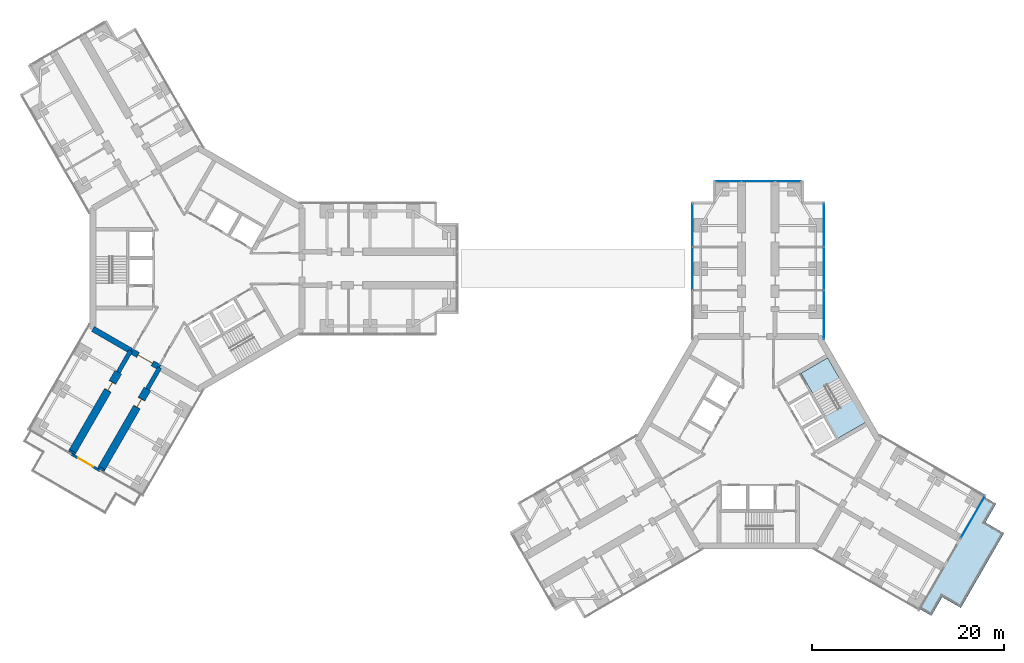
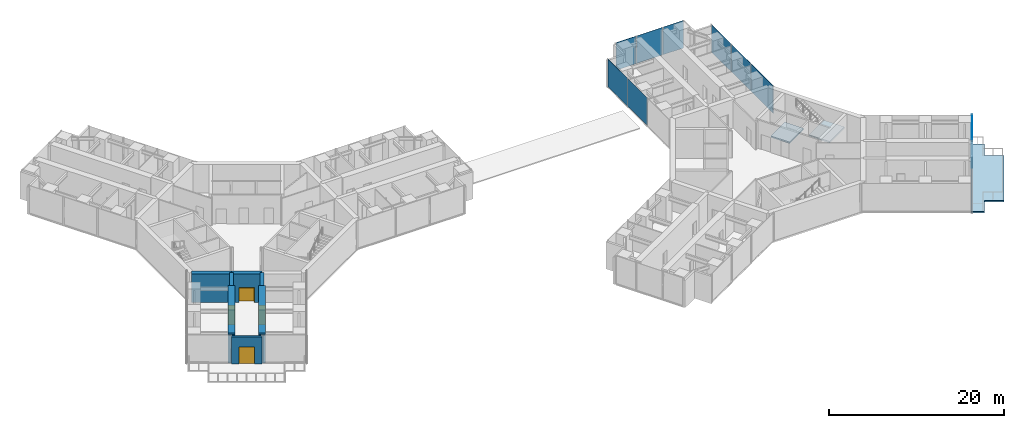
# One storey, part 14 of 22: 9 plates, 9 walls, 4 doors, 3 slabs, 4 openings, 5 elements without a shape of their own.
"""IFC4 building model written with IfcOpenShell, lengths in metres."""

from ifc_helpers import new_model, si_unit, direction, frame, frame_2d, origin, origin_2d, place, context, subcontext, project, spatial, polyline, rectangle, outline, extrude, material, layer, layer_set, type_object, element, fill, aggregate, save


model = new_model("IFC4")

# Units and contexts
model_context = context("Model", 3, precision=1e-05, world=origin(), true_north=direction((0.0, 1.0)))
body_context = subcontext(model_context, "Body", "Model", "MODEL_VIEW")
ifc_project = project(units=[si_unit("LENGTHUNIT", "METRE"), si_unit("AREAUNIT", "SQUARE_METRE"), si_unit("VOLUMEUNIT", "CUBIC_METRE"), si_unit("PLANEANGLEUNIT", "RADIAN"), si_unit("MASSUNIT", "GRAM", prefix="KILO")], contexts=[model_context])

# Site, building, storey
site_placement = place(None, origin())
site = spatial("IfcSite", under=ifc_project, at=site_placement, CompositionType="ELEMENT")
building_placement = place(site_placement, origin())
building = spatial("IfcBuilding", under=site, at=building_placement, Name="Upepo Twin Towers", CompositionType="ELEMENT")
storey_placement = place(building_placement, frame((0.0, 0.0, 97.5)))
storey = spatial("IfcBuildingStorey", under=building, at=storey_placement, Name="L23", CompositionType="ELEMENT", Elevation=97.5)

# Curtain wall, plates
ifc_material_1 = material(Name="Aluminium and fritted glass", Category="aluminium")
curtain_wall_type = type_object("IfcCurtainWallType", Name="Tower curtain wall TW2, fritted glass", PredefinedType="NOTDEFINED", material=ifc_material_1)
curtain_wall_1_placement = place(storey_placement, origin())
curtain_wall_1 = element("IfcCurtainWall", 1, at=curtain_wall_1_placement, inside=storey, type_object=curtain_wall_type, Name="T2 L23 wing A flank L curtain wall", PredefinedType="NOTDEFINED")
ifc_material_2 = material(Name="Ceramic-fritted laminated glass", Category="glass")
ifc_layer_1 = layer(ifc_material_2, 0.031982421875)
ifc_layer_set_1 = layer_set([ifc_layer_1], Name="Fritted glass panel, 30 per cent dot frit, 32 mm double glazed")
plate_type_1 = type_object("IfcPlateType", Name="Fritted glass panel, 30 per cent dot frit, 32 mm double glazed", PredefinedType="CURTAIN_PANEL", material=ifc_layer_set_1)
plate_1_placement = place(storey_placement, frame((51.64990234375, 0.0, 0.14990234375), z_axis=(0.0, 0.0, 1.0), x_axis=(0.0, 1.0, 0.0)))
plate_1 = element("IfcPlate", 2, at=plate_1_placement, type_object=plate_type_1, Name="T2 L23 wing A flank L curtain wall panel 2", PredefinedType="CURTAIN_PANEL", context=body_context, shape_type="SweptSolid", body=[
    extrude(rectangle(XDim=4.43505859375, YDim=0.031982421875, at=origin_2d()), origin(), (0.0, 0.0, 1.0), 3.85009765625),
])
plate_2_placement = place(storey_placement, frame((51.64990234375, 4.53369140625, 0.14990234375), z_axis=(0.0, 0.0, 1.0), x_axis=(0.0, 1.0, 0.0)))
plate_2 = element("IfcPlate", 3, at=plate_2_placement, type_object=plate_type_1, Name="T2 L23 wing A flank L curtain wall panel 3", PredefinedType="CURTAIN_PANEL", context=body_context, shape_type="SweptSolid", body=[
    extrude(rectangle(XDim=4.50244140625, YDim=0.031982421875, at=origin_2d()), origin(), (0.0, 0.0, 1.0), 3.85009765625),
])
aggregate(curtain_wall_1, [plate_1, plate_2])

curtain_wall_2_placement = place(storey_placement, origin())
curtain_wall_2 = element("IfcCurtainWall", 4, at=curtain_wall_2_placement, inside=storey, type_object=curtain_wall_type, Name="T2 L23 wing A flank R curtain wall", PredefinedType="NOTDEFINED")
plate_3_placement = place(storey_placement, frame((65.35009765625, 4.53369140625, 0.14990234375), z_axis=(0.0, 0.0, 1.0), x_axis=(0.0, -1.0, 0.0)))
plate_3 = element("IfcPlate", 5, at=plate_3_placement, type_object=plate_type_1, Name="T2 L23 wing A flank R curtain wall panel 1", PredefinedType="CURTAIN_PANEL", context=body_context, shape_type="SweptSolid", body=[
    extrude(rectangle(XDim=4.50244140625, YDim=0.031982421875, at=origin_2d()), origin(), (0.0, 0.0, 1.0), 3.85009765625),
])
plate_4_placement = place(storey_placement, frame((65.35009765625, 0.0, 0.14990234375), z_axis=(0.0, 0.0, 1.0), x_axis=(0.0, -1.0, 0.0)))
plate_4 = element("IfcPlate", 6, at=plate_4_placement, type_object=plate_type_1, Name="T2 L23 wing A flank R curtain wall panel 2", PredefinedType="CURTAIN_PANEL", context=body_context, shape_type="SweptSolid", body=[
    extrude(rectangle(XDim=4.43505859375, YDim=0.031982421875, at=origin_2d()), origin(), (0.0, 0.0, 1.0), 3.85009765625),
])
plate_5_placement = place(storey_placement, frame((65.35009765625, -4.815185546875, 0.14990234375), z_axis=(0.0, 0.0, 1.0), x_axis=(0.0, -1.0, 0.0)))
plate_5 = element("IfcPlate", 7, at=plate_5_placement, type_object=plate_type_1, Name="T2 L23 wing A flank R curtain wall panel 3", PredefinedType="CURTAIN_PANEL", context=body_context, shape_type="SweptSolid", body=[
    extrude(rectangle(XDim=5.0654296875, YDim=0.031982421875, at=origin_2d()), origin(), (0.0, 0.0, 1.0), 3.85009765625),
])
aggregate(curtain_wall_2, [plate_3, plate_4, plate_5])

curtain_wall_3_placement = place(storey_placement, origin())
curtain_wall_3 = element("IfcCurtainWall", 8, at=curtain_wall_3_placement, inside=storey, type_object=curtain_wall_type, Name="T2 L23 wing A nose curtain wall", PredefinedType="NOTDEFINED")
plate_6_placement = place(storey_placement, frame((58.5, 9.10009765625, 0.14990234375), z_axis=(0.0, 0.0, 1.0), x_axis=(-1.0, 0.0, 0.0)))
plate_6 = element("IfcPlate", 9, at=plate_6_placement, type_object=plate_type_1, Name="T2 L23 wing A nose curtain wall panel 2", PredefinedType="CURTAIN_PANEL", context=body_context, shape_type="SweptSolid", body=[
    extrude(rectangle(XDim=3.43505859375, YDim=0.031982421875, at=origin_2d()), origin(), (0.0, 0.0, 1.0), 3.85009765625),
])
ifc_material_3 = material(Name="Clear laminated glass in opening sash", Category="glass")
ifc_layer_2 = layer(ifc_material_3, 0.031982421875)
ifc_layer_set_2 = layer_set([ifc_layer_2], Name="Operable glass panel, 32 mm double glazed")
plate_type_2 = type_object("IfcPlateType", Name="Operable glass panel, 32 mm double glazed", PredefinedType="CURTAIN_PANEL", material=ifc_layer_set_2)
plate_7_placement = place(storey_placement, frame((61.608642578125, 9.10009765625, 0.14990234375), z_axis=(0.0, 0.0, 1.0), x_axis=(-1.0, 0.0, 0.0)))
plate_7 = element("IfcPlate", 10, at=plate_7_placement, type_object=plate_type_2, Name="T2 L23 wing A nose curtain wall panel 1", PredefinedType="CURTAIN_PANEL", context=body_context, shape_type="SweptSolid", body=[
    extrude(rectangle(XDim=2.652587890625, YDim=0.031982421875, at=origin_2d()), origin(), (0.0, 0.0, 1.0), 3.85009765625),
])
plate_8_placement = place(storey_placement, frame((55.391357421875, 9.10009765625, 0.14990234375), z_axis=(0.0, 0.0, 1.0), x_axis=(-1.0, 0.0, 0.0)))
plate_8 = element("IfcPlate", 11, at=plate_8_placement, type_object=plate_type_2, Name="T2 L23 wing A nose curtain wall panel 3", PredefinedType="CURTAIN_PANEL", context=body_context, shape_type="SweptSolid", body=[
    extrude(rectangle(XDim=2.652587890625, YDim=0.031982421875, at=origin_2d()), origin(), (0.0, 0.0, 1.0), 3.85009765625),
])
aggregate(curtain_wall_3, [plate_7, plate_6, plate_8])

# Curtain wall, plate
curtain_wall_4_placement = place(storey_placement, origin())
curtain_wall_4 = element("IfcCurtainWall", 12, at=curtain_wall_4_placement, inside=storey, type_object=curtain_wall_type, Name="T2 L23 wing C nose curtain wall 2", PredefinedType="NOTDEFINED")
plate_9_placement = place(storey_placement, frame((80.896728515625, -25.90771484375, 0.14990234375), z_axis=(0.0, 0.0, 1.0), x_axis=(0.49999992503, 0.866025447069, 0.0)))
plate_9 = element("IfcPlate", 13, at=plate_9_placement, type_object=plate_type_2, Name="T2 L23 wing C nose curtain wall 2 panel 1", PredefinedType="CURTAIN_PANEL", context=body_context, shape_type="SweptSolid", body=[
    extrude(rectangle(XDim=5.070068359375, YDim=0.031982421875, at=origin_2d()), origin(), (0.0, 0.0, 1.0), 3.85009765625),
])
aggregate(curtain_wall_4, [plate_9])

# Slab
ifc_material_4 = material(Name="Concrete C40/50", Category="concrete")
ifc_layer_3 = layer(ifc_material_4, 0.199951171875)
ifc_layer_set_3 = layer_set([ifc_layer_3], Name="Concrete C40/50")
slab_type_1 = type_object("IfcSlabType", Name="Sky terrace slab 200 RC", PredefinedType="ROOF", material=ifc_layer_set_3)
slab_1_placement = place(storey_placement, frame((0.0, 0.0, -0.199951171875)))
element("IfcSlab", 14, at=slab_1_placement, inside=storey, type_object=slab_type_1, Name="T2 L23 sky terrace slab with planting beds", PredefinedType="ROOF", context=body_context, shape_type="SweptSolid", body=[
    extrude(outline(polyline([(84.132568359375, -27.602783203125), (79.632568359375, -35.397216796875), (77.68408203125, -34.272216796875), (76.55908203125, -36.220703125), (64.5, -29.25830078125), (75.260009765625, -35.470703125), (82.010009765625, -23.779296875), (71.25, -17.56689453125), (83.30908203125, -24.529296875), (82.18408203125, -26.477783203125), (84.132568359375, -27.602783203125)])), origin(), (0.0, 0.0, 1.0), 0.199951171875),
])

# Stair, slabs
ifc_material_5 = material(Name="Concrete C40/50", Category="concrete")
stair_type = type_object("IfcStairType", Name="Core stair, two flights", PredefinedType="HALF_TURN_STAIR", material=ifc_material_5)
stair_placement = place(storey_placement, origin())
stair = element("IfcStair", 15, at=stair_placement, inside=storey, type_object=stair_type, Name="T2 stair S2 L23", PredefinedType="HALF_TURN_STAIR")
ifc_material_6 = material(Name="Concrete C40/50", Category="concrete")
ifc_layer_4 = layer(ifc_material_6, 0.199951171875)
ifc_layer_set_4 = layer_set([ifc_layer_4], Name="Concrete C40/50")
slab_type_2 = type_object("IfcSlabType", Name="Stair landing 200 RC", PredefinedType="LANDING", material=ifc_layer_set_4)
slab_2_placement = place(storey_placement, frame((0.0, 0.0, -0.199951171875)))
slab_2 = element("IfcSlab", 16, at=slab_2_placement, type_object=slab_type_2, Name="Stair S2 landing 1", PredefinedType="LANDING", context=body_context, shape_type="SweptSolid", body=[
    extrude(outline(polyline([(64.198486328125, -13.0703125), (66.97705078125, -11.466064453125), (65.737060546875, -9.318359375), (62.95849609375, -10.922607421875), (64.198486328125, -13.0703125)])), origin(), (0.0, 0.0, 1.0), 0.199951171875),
])
slab_3_placement = place(storey_placement, frame((0.0, 0.0, 1.800048828125)))
slab_3 = element("IfcSlab", 17, at=slab_3_placement, type_object=slab_type_2, Name="Stair S2 landing 2", PredefinedType="LANDING", context=body_context, shape_type="SweptSolid", body=[
    extrude(outline(polyline([(66.77197265625, -17.7275390625), (69.7236328125, -16.0234375), (68.36376953125, -13.667724609375), (65.411865234375, -15.371826171875), (66.77197265625, -17.7275390625)])), origin(), (0.0, 0.0, 1.0), 0.199951171875),
])
aggregate(stair, [slab_2, slab_3])

# Walls
ifc_material_7 = material(Name="Dense concrete blockwork", Category="masonry")
ifc_layer_5 = layer(ifc_material_7, 0.800048828125)
ifc_layer_set_5 = layer_set([ifc_layer_5], Name="Buttress closer 800, blockwork with fire-stopping to the curtain wall")
wall_type_1 = type_object("IfcWallType", Name="Buttress closer 800, blockwork with fire-stopping to the curtain wall", PredefinedType="PARTITIONING", material=ifc_layer_set_5)
wall_1_placement = place(storey_placement, frame((-9.984375, -20.793701171875, 0.0), z_axis=(0.0, 0.0, 1.0), x_axis=(-0.500223362819, -0.865896406789, 0.0)))
element("IfcWall", 18, at=wall_1_placement, inside=storey, type_object=wall_type_1, Name="T1 L23 wing C buttress closer L", PredefinedType="PARTITIONING", context=body_context, shape_type="SweptSolid", body=[
    extrude(rectangle(XDim=0.22509765625, YDim=0.800048828125, at=frame_2d((0.112548828125, 0.0))), origin(), (0.0, 0.0, 1.0), 3.800048828125),
])
wall_2_placement = place(storey_placement, frame((-13.015625, -19.043701171875, 0.0), z_axis=(0.0, 0.0, 1.0), x_axis=(-0.499409130319, -0.866366273901, 0.0)))
element("IfcWall", 19, at=wall_2_placement, inside=storey, type_object=wall_type_1, Name="T1 L23 wing C buttress closer R", PredefinedType="PARTITIONING", context=body_context, shape_type="SweptSolid", body=[
    extrude(rectangle(XDim=0.224853515625, YDim=0.800048828125, at=frame_2d((0.1123046875, 0.0))), origin(), (0.0, 0.0, 1.0), 3.800048828125),
])
ifc_material_8 = material(Name="Concrete C60/75", Category="concrete")
ifc_layer_6 = layer(ifc_material_8, 0.449951171875)
ifc_layer_set_6 = layer_set([ifc_layer_6], Name="Concrete C60/75")
wall_type_2 = type_object("IfcWallType", Name="Buttress wall 450 RC", PredefinedType="SHEAR", material=ifc_layer_set_6)
for number, where, z_axis, x_axis, name in (
    (20, (-3.938720703125, -10.32177734375, 0.0), (0.0, 0.0, 1.0), (-0.499918158782, -0.866072649678, 0.0), "T1 wing C buttress wall L"),
    (21, (-6.9697265625, -8.57177734375, 0.0), (0.0, 0.0, 1.0), (-0.499988811324, -0.866031863473, 0.0), "T1 wing C buttress wall R"),
):
    element("IfcWall", number, at=place(storey_placement, frame(where, z_axis=z_axis, x_axis=x_axis)), inside=storey, type_object=wall_type_2, Name=name, PredefinedType="SHEAR", context=body_context, shape_type="SweptSolid", body=[
        extrude(rectangle(XDim=2.591796875, YDim=0.449951171875, at=frame_2d((1.2958984375, 0.0))), origin(), (0.0, 0.0, 1.0), 4.0),
    ])

# Wall, opening, door
ifc_material_9 = material(Name="Concrete C60/75", Category="concrete")
ifc_layer_7 = layer(ifc_material_9, 0.800048828125)
ifc_layer_set_7 = layer_set([ifc_layer_7], Name="Concrete C60/75")
wall_type_3 = type_object("IfcWallType", Name="Buttress wall 800 RC", PredefinedType="SHEAR", material=ifc_layer_set_7)
wall_3_placement = place(storey_placement, frame((-5.234375, -12.56640625, 0.0), z_axis=(0.0, 0.0, 1.0), x_axis=(-0.499997557548, -0.86602681393, 0.0)))
wall_3 = element("IfcWall", 22, at=wall_3_placement, inside=storey, type_object=wall_type_3, Name="T1 wing C buttress wall L part 2", PredefinedType="SHEAR", context=body_context, shape_type="SweptSolid", body=[
    extrude(rectangle(XDim=9.5, YDim=0.800048828125, at=frame_2d((4.75, 0.0))), origin(), (0.0, 0.0, 1.0), 4.0),
])
opening_1_placement = place(wall_3_placement, frame((1.199951171875, 0.0, 0.0)))
opening_1 = element("IfcOpeningElement", 23, at=opening_1_placement, cuts=wall_3, Name="Opening D15", PredefinedType="OPENING", context=body_context, shape_type="SweptSolid", body=[
    extrude(rectangle(XDim=1.0, YDim=2.10009765625, at=frame_2d((0.5, 1.050048828125))), frame((0.0, 0.409912109375, 0.0), z_axis=(0.0, -1.0, 0.0), x_axis=(1.0, 0.0, 0.0)), (0.0, 0.0, 1.0), 0.820068359375),
])
ifc_material_10 = material(Name="Timber doorset", Category="wood")
door_type_1 = type_object("IfcDoorType", Name="Glazed door 1000 FD30", OperationType="SINGLE_SWING_LEFT", PredefinedType="DOOR", material=ifc_material_10)
door_1_placement = place(opening_1_placement, origin())
door_1 = element("IfcDoor", 24, at=door_1_placement, inside=storey, type_object=door_type_1, Name="T1 L23 faculty office door", OperationType="SINGLE_SWING_LEFT", OverallHeight=2.10009765625, OverallWidth=1.0, PredefinedType="DOOR", context=body_context, shape_type="SweptSolid", body=[
    extrude(rectangle(XDim=0.92, YDim=2.06009765625, at=frame_2d((0.5, 1.030029296875))), frame((0.0, 0.02490234375, 0.0), z_axis=(0.0, -1.0, 0.0), x_axis=(1.0, 0.0, 0.0)), (0.0, 0.0, 1.0), 0.050048828125),
    extrude(rectangle(XDim=0.04, YDim=2.10009765625, at=frame_2d((0.02001953125, 1.050048828125))), frame((0.0, 0.39990234375, 0.0), z_axis=(0.0, -1.0, 0.0), x_axis=(1.0, 0.0, 0.0)), (0.0, 0.0, 1.0), 0.799560546875),
    extrude(rectangle(XDim=0.04, YDim=2.10009765625, at=frame_2d((0.97998046875, 1.050048828125))), frame((0.0, 0.39990234375, 0.0), z_axis=(0.0, -1.0, 0.0), x_axis=(1.0, 0.0, 0.0)), (0.0, 0.0, 1.0), 0.799560546875),
    extrude(rectangle(XDim=0.92, YDim=0.04, at=frame_2d((0.5, 2.080078125))), frame((0.0, 0.39990234375, 0.0), z_axis=(0.0, -1.0, 0.0), x_axis=(1.0, 0.0, 0.0)), (0.0, 0.0, 1.0), 0.799560546875),
])
fill(opening_1, door_1)

wall_4_placement = place(storey_placement, frame((-8.265625, -10.81640625, 0.0), z_axis=(0.0, 0.0, 1.0), x_axis=(-0.499997557548, -0.86602681393, 0.0)))
wall_4 = element("IfcWall", 25, at=wall_4_placement, inside=storey, type_object=wall_type_3, Name="T1 wing C buttress wall R part 2", PredefinedType="SHEAR", context=body_context, shape_type="SweptSolid", body=[
    extrude(rectangle(XDim=9.5, YDim=0.800048828125, at=frame_2d((4.75, 0.0))), origin(), (0.0, 0.0, 1.0), 4.0),
])
opening_2_placement = place(wall_4_placement, frame((1.199951171875, 0.0, 0.0)))
opening_2 = element("IfcOpeningElement", 26, at=opening_2_placement, cuts=wall_4, Name="Opening D15", PredefinedType="OPENING", context=body_context, shape_type="SweptSolid", body=[
    extrude(rectangle(XDim=1.0, YDim=2.10009765625, at=frame_2d((0.5, 1.050048828125))), frame((0.0, 0.409912109375, 0.0), z_axis=(0.0, -1.0, 0.0), x_axis=(1.0, 0.0, 0.0)), (0.0, 0.0, 1.0), 0.820068359375),
])
door_2_placement = place(opening_2_placement, origin())
door_2 = element("IfcDoor", 27, at=door_2_placement, inside=storey, type_object=door_type_1, Name="T1 L23 faculty office door", OperationType="SINGLE_SWING_LEFT", OverallHeight=2.10009765625, OverallWidth=1.0, PredefinedType="DOOR", context=body_context, shape_type="SweptSolid", body=[
    extrude(rectangle(XDim=0.92, YDim=2.06009765625, at=frame_2d((0.5, 1.030029296875))), frame((0.0, 0.02490234375, 0.0), z_axis=(0.0, -1.0, 0.0), x_axis=(1.0, 0.0, 0.0)), (0.0, 0.0, 1.0), 0.050048828125),
    extrude(rectangle(XDim=0.04, YDim=2.10009765625, at=frame_2d((0.02001953125, 1.050048828125))), frame((0.0, 0.39990234375, 0.0), z_axis=(0.0, -1.0, 0.0), x_axis=(1.0, 0.0, 0.0)), (0.0, 0.0, 1.0), 0.799560546875),
    extrude(rectangle(XDim=0.04, YDim=2.10009765625, at=frame_2d((0.97998046875, 1.050048828125))), frame((0.0, 0.39990234375, 0.0), z_axis=(0.0, -1.0, 0.0), x_axis=(1.0, 0.0, 0.0)), (0.0, 0.0, 1.0), 0.799560546875),
    extrude(rectangle(XDim=0.92, YDim=0.04, at=frame_2d((0.5, 2.080078125))), frame((0.0, 0.39990234375, 0.0), z_axis=(0.0, -1.0, 0.0), x_axis=(1.0, 0.0, 0.0)), (0.0, 0.0, 1.0), 0.799560546875),
])
fill(opening_2, door_2)

# Wall
ifc_material_11 = material(Name="Concrete C60/75", Category="concrete")
ifc_layer_8 = layer(ifc_material_11, 0.60009765625)
ifc_layer_set_8 = layer_set([ifc_layer_8], Name="Concrete C60/75")
wall_type_4 = type_object("IfcWallType", Name="Core wall 600 RC", PredefinedType="SHEAR", material=ifc_layer_set_8)
wall_5_placement = place(storey_placement, frame((-10.908447265625, -6.2978515625, 0.0), z_axis=(0.0, 0.0, 1.0), x_axis=(0.866034513004, -0.499984222037, 0.0)))
element("IfcWall", 28, at=wall_5_placement, inside=storey, type_object=wall_type_4, Name="T1 core wall 240 R", PredefinedType="SHEAR", context=body_context, shape_type="SweptSolid", body=[
    extrude(rectangle(XDim=4.548095703125, YDim=0.60009765625, at=frame_2d((2.27392578125, 0.0))), origin(), (0.0, 0.0, 1.0), 4.0),
])

# Wall, opening, door
wall_6_placement = place(storey_placement, frame((-6.9697265625, -8.57177734375, 0.0), z_axis=(0.0, 0.0, 1.0), x_axis=(0.866019471182, -0.500010275428, 0.0)))
wall_6 = element("IfcWall", 29, at=wall_6_placement, inside=storey, type_object=wall_type_4, Name="T1 core wall 240", PredefinedType="SHEAR", context=body_context, shape_type="SweptSolid", body=[
    extrude(rectangle(XDim=3.5, YDim=0.60009765625, at=frame_2d((1.75, 0.0))), origin(), (0.0, 0.0, 1.0), 4.0),
])
opening_3_placement = place(wall_6_placement, frame((0.85009765625, 0.0, 0.0)))
opening_3 = element("IfcOpeningElement", 30, at=opening_3_placement, cuts=wall_6, Name="Opening D2", PredefinedType="OPENING", context=body_context, shape_type="SweptSolid", body=[
    extrude(rectangle(XDim=1.800048828125, YDim=2.10009765625, at=frame_2d((0.89990234375, 1.050048828125))), frame((0.0, 0.31005859375, 0.0), z_axis=(0.0, -1.0, 0.0), x_axis=(1.0, 0.0, 0.0)), (0.0, 0.0, 1.0), 0.6201171875),
])
ifc_material_12 = material(Name="Timber doorset", Category="wood")
door_type_2 = type_object("IfcDoorType", Name="Corridor double door 1800 FD60", OperationType="DOUBLE_DOOR_DOUBLE_SWING", PredefinedType="DOOR", material=ifc_material_12)
door_3_placement = place(opening_3_placement, origin())
door_3 = element("IfcDoor", 31, at=door_3_placement, inside=storey, type_object=door_type_2, Name="T1 L23 wing C corridor door", OperationType="DOUBLE_DOOR_DOUBLE_SWING", OverallHeight=2.10009765625, OverallWidth=1.800048828125, PredefinedType="DOOR", context=body_context, shape_type="SweptSolid", body=[
    extrude(rectangle(XDim=1.720048828125, YDim=2.06009765625, at=frame_2d((0.89990234375, 1.030029296875))), frame((0.0, 0.02490234375, 0.0), z_axis=(0.0, -1.0, 0.0), x_axis=(1.0, 0.0, 0.0)), (0.0, 0.0, 1.0), 0.050048828125),
    extrude(rectangle(XDim=0.04, YDim=2.10009765625, at=frame_2d((0.02001953125, 1.050048828125))), frame((0.0, 0.2998046875, 0.0), z_axis=(0.0, -1.0, 0.0), x_axis=(1.0, 0.0, 0.0)), (0.0, 0.0, 1.0), 0.599609375),
    extrude(rectangle(XDim=0.04, YDim=2.10009765625, at=frame_2d((1.780029296875, 1.050048828125))), frame((0.0, 0.2998046875, 0.0), z_axis=(0.0, -1.0, 0.0), x_axis=(1.0, 0.0, 0.0)), (0.0, 0.0, 1.0), 0.599609375),
    extrude(rectangle(XDim=1.720048828125, YDim=0.04, at=frame_2d((0.89990234375, 2.080078125))), frame((0.0, 0.2998046875, 0.0), z_axis=(0.0, -1.0, 0.0), x_axis=(1.0, 0.0, 0.0)), (0.0, 0.0, 1.0), 0.599609375),
])
fill(opening_3, door_3)

ifc_material_13 = material(Name="Blockwork with anodised aluminium cladding", Category="masonry")
ifc_layer_9 = layer(ifc_material_13, 0.25)
ifc_layer_set_9 = layer_set([ifc_layer_9], Name="Notch cladding wall 250, pale metal")
wall_type_5 = type_object("IfcWallType", Name="Notch cladding wall 250, pale metal", PredefinedType="STANDARD", material=ifc_layer_set_9)
wall_7_placement = place(storey_placement, frame((-13.1904296875, -19.3466796875, 0.0), z_axis=(0.0, 0.0, 1.0), x_axis=(0.866019471182, -0.500010275428, 0.0)))
wall_7 = element("IfcWall", 32, at=wall_7_placement, inside=storey, type_object=wall_type_5, Name="T1 L23 wing C nose wall", PredefinedType="STANDARD", context=body_context, shape_type="SweptSolid", body=[
    extrude(rectangle(XDim=3.5, YDim=0.25, at=frame_2d((1.75, 0.0))), origin(), (0.0, 0.0, 1.0), 3.800048828125),
])
opening_4_placement = place(wall_7_placement, frame((0.85009765625, 0.0, 0.0)))
opening_4 = element("IfcOpeningElement", 33, at=opening_4_placement, cuts=wall_7, Name="Opening D5", PredefinedType="OPENING", context=body_context, shape_type="SweptSolid", body=[
    extrude(rectangle(XDim=1.800048828125, YDim=2.39990234375, at=frame_2d((0.89990234375, 1.199951171875))), frame((0.0, 0.135009765625, 0.0), z_axis=(0.0, -1.0, 0.0), x_axis=(1.0, 0.0, 0.0)), (0.0, 0.0, 1.0), 0.27001953125),
])
ifc_material_14 = material(Name="Aluminium glazed doorset", Category="aluminium")
door_type_3 = type_object("IfcDoorType", Name="Terrace door 1800 glazed", OperationType="DOUBLE_DOOR_DOUBLE_SWING", PredefinedType="DOOR", material=ifc_material_14)
door_4_placement = place(opening_4_placement, origin())
door_4 = element("IfcDoor", 34, at=door_4_placement, inside=storey, type_object=door_type_3, Name="T1 L23 wing C terrace door", OperationType="DOUBLE_DOOR_DOUBLE_SWING", OverallHeight=2.39990234375, OverallWidth=1.800048828125, PredefinedType="DOOR", context=body_context, shape_type="SweptSolid", body=[
    extrude(rectangle(XDim=1.800048828125, YDim=2.39990234375, at=frame_2d((0.89990234375, 1.199951171875))), frame((0.0, 0.02490234375, 0.0), z_axis=(0.0, -1.0, 0.0), x_axis=(1.0, 0.0, 0.0)), (0.0, 0.0, 1.0), 0.050048828125),
])
fill(opening_4, door_4)

save(model, "model.ifc")
